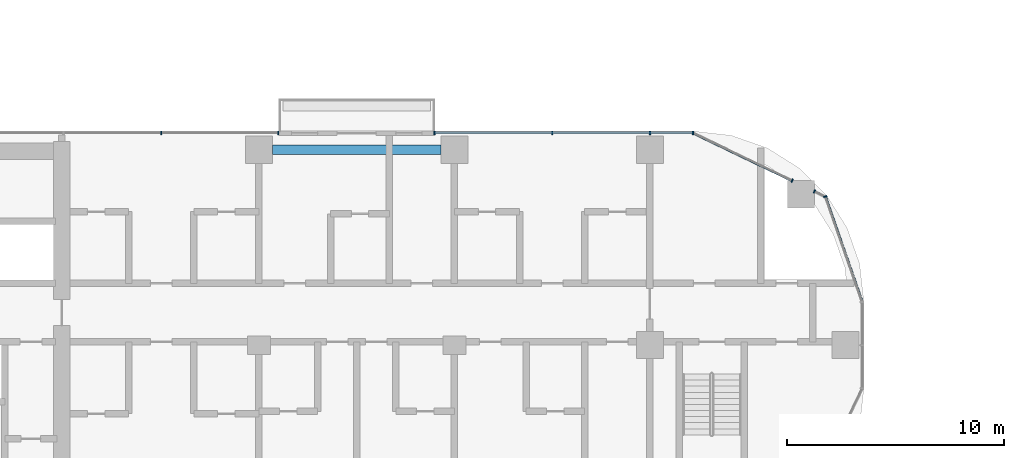
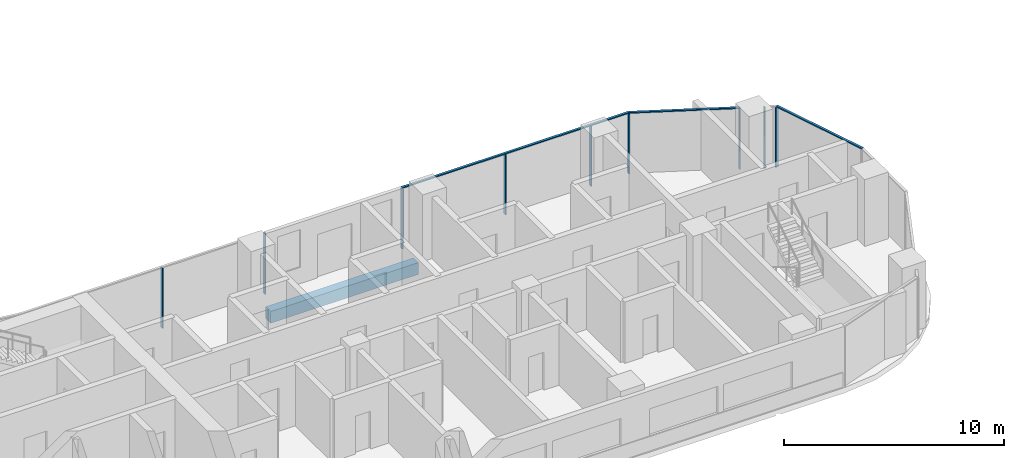
# One storey, part 4 of 35: 12 members, 1 beam, 4 elements without a shape of their own.
"""IFC4 building model written with IfcOpenShell, lengths in metres."""

from ifc_helpers import new_model, si_unit, direction, frame, origin, origin_2d, place, context, subcontext, project, spatial, rectangle, extrude, material, material_profile, profile_set, type_object, element, aggregate, save


model = new_model("IFC4")

# Units and contexts
model_context = context("Model", 3, precision=1e-05, world=origin(), true_north=direction((0.0, 1.0)))
body_context = subcontext(model_context, "Body", "Model", "MODEL_VIEW")
ifc_project = project(units=[si_unit("LENGTHUNIT", "METRE"), si_unit("AREAUNIT", "SQUARE_METRE"), si_unit("VOLUMEUNIT", "CUBIC_METRE"), si_unit("PLANEANGLEUNIT", "RADIAN"), si_unit("MASSUNIT", "GRAM", prefix="KILO")], contexts=[model_context])

# Site, building, storey
site_placement = place(None, origin())
site = spatial("IfcSite", under=ifc_project, at=site_placement, CompositionType="ELEMENT")
building_placement = place(site_placement, origin())
building = spatial("IfcBuilding", under=site, at=building_placement, Name="Ogive Portal Towers", CompositionType="ELEMENT")
storey_placement = place(building_placement, frame((0.0, 0.0, 90.800048828125)))
storey = spatial("IfcBuildingStorey", under=building, at=storey_placement, Name="L21", CompositionType="ELEMENT", Elevation=90.800048828125)

# Curtain wall, members
ifc_material_1 = material(Name="Glass, clear low-iron insulated glazing", Category="glass")
curtain_wall_type = type_object("IfcCurtainWallType", Name="CW FRONT RIBBON 4500", PredefinedType="NOTDEFINED", material=ifc_material_1)
curtain_wall_1_placement = place(storey_placement, origin())
curtain_wall_1 = element("IfcCurtainWall", 1, at=curtain_wall_1_placement, inside=storey, type_object=curtain_wall_type, Name="A:L21:f11:cw0", PredefinedType="NOTDEFINED")
ifc_material_2 = material(Name="Aluminium 6063 anodised", Category="aluminium")
ifc_material_profile_1 = material_profile(ifc_material_2, rectangle(XDim=0.159912109375, YDim=0.06005859375, at=origin_2d()), Name="AL 60x160")
ifc_profile_set_1 = profile_set([ifc_material_profile_1], Name="Aluminium 6063 anodised")
member_type_1 = type_object("IfcMemberType", Name="CW MULLION 60x160", PredefinedType="MULLION", material=ifc_profile_set_1)
member_1_placement = place(storey_placement, frame((87.481689453125, 40.27490234375, 0.0), z_axis=(0.0, 0.0, 1.0), x_axis=(0.0, -1.0, 0.0)))
member_1 = element("IfcMember", 2, at=member_1_placement, type_object=member_type_1, Name="mullion", PredefinedType="MULLION", context=body_context, shape_type="SweptSolid", body=[
    extrude(rectangle(XDim=0.159912109375, YDim=0.06005859375, at=origin_2d()), origin(), (0.0, 0.0, 1.0), 3.33984375),
])
member_2_placement = place(storey_placement, frame((85.5, 40.27490234375, 0.0), z_axis=(0.0, 0.0, 1.0), x_axis=(0.0, -1.0, 0.0)))
member_2 = element("IfcMember", 3, at=member_2_placement, type_object=member_type_1, Name="mullion", PredefinedType="MULLION", context=body_context, shape_type="SweptSolid", body=[
    extrude(rectangle(XDim=0.159912109375, YDim=0.06005859375, at=origin_2d()), origin(), (0.0, 0.0, 1.0), 3.33984375),
])
member_3_placement = place(storey_placement, frame((81.0, 40.27490234375, 0.0), z_axis=(0.0, 0.0, 1.0), x_axis=(0.0, -1.0, 0.0)))
member_3 = element("IfcMember", 4, at=member_3_placement, type_object=member_type_1, Name="mullion", PredefinedType="MULLION", context=body_context, shape_type="SweptSolid", body=[
    extrude(rectangle(XDim=0.159912109375, YDim=0.06005859375, at=origin_2d()), origin(), (0.0, 0.0, 1.0), 3.33984375),
])
member_4_placement = place(storey_placement, frame((75.586181640625, 40.27490234375, 0.0), z_axis=(0.0, 0.0, 1.0), x_axis=(0.0, -1.0, 0.0)))
member_4 = element("IfcMember", 5, at=member_4_placement, type_object=member_type_1, Name="mullion", PredefinedType="MULLION", context=body_context, shape_type="SweptSolid", body=[
    extrude(rectangle(XDim=0.159912109375, YDim=0.06005859375, at=origin_2d()), origin(), (0.0, 0.0, 1.0), 3.33984375),
])

curtain_wall_2_placement = place(storey_placement, origin())
curtain_wall_2 = element("IfcCurtainWall", 6, at=curtain_wall_2_placement, inside=storey, type_object=curtain_wall_type, Name="A:L21:f11:cw1", PredefinedType="NOTDEFINED")
member_5_placement = place(storey_placement, frame((68.388916015625, 40.27490234375, 0.0), z_axis=(0.0, 0.0, 1.0), x_axis=(0.0, -1.0, 0.0)))
member_5 = element("IfcMember", 7, at=member_5_placement, type_object=member_type_1, Name="mullion", PredefinedType="MULLION", context=body_context, shape_type="SweptSolid", body=[
    extrude(rectangle(XDim=0.159912109375, YDim=0.06005859375, at=origin_2d()), origin(), (0.0, 0.0, 1.0), 3.33984375),
])
member_6_placement = place(storey_placement, frame((63.0, 40.27490234375, 0.0), z_axis=(0.0, 0.0, 1.0), x_axis=(0.0, -1.0, 0.0)))
member_6 = element("IfcMember", 8, at=member_6_placement, type_object=member_type_1, Name="mullion", PredefinedType="MULLION", context=body_context, shape_type="SweptSolid", body=[
    extrude(rectangle(XDim=0.159912109375, YDim=0.06005859375, at=origin_2d()), origin(), (0.0, 0.0, 1.0), 3.33984375),
])
aggregate(curtain_wall_2, [member_5, member_6])

curtain_wall_3_placement = place(storey_placement, origin())
curtain_wall_3 = element("IfcCurtainWall", 9, at=curtain_wall_3_placement, inside=storey, type_object=curtain_wall_type, Name="A:L21:f09:cwa~0", PredefinedType="NOTDEFINED")
member_7_placement = place(storey_placement, frame((93.57666015625, 37.33984375, 0.0), z_axis=(0.0, 0.0, 1.0), x_axis=(-0.943883330307, -0.33027906196, 0.0)))
member_7 = element("IfcMember", 10, at=member_7_placement, type_object=member_type_1, Name="mullion", PredefinedType="MULLION", context=body_context, shape_type="SweptSolid", body=[
    extrude(rectangle(XDim=0.159912109375, YDim=0.06005859375, at=origin_2d()), origin(), (0.0, 0.0, 1.0), 3.33984375),
])
member_8_placement = place(storey_placement, frame((93.074951171875, 37.58154296875, 0.0), z_axis=(0.0, 0.0, 1.0), x_axis=(-0.433883739113, -0.900968867905, 0.0)))
member_8 = element("IfcMember", 11, at=member_8_placement, type_object=member_type_1, Name="mullion", PredefinedType="MULLION", context=body_context, shape_type="SweptSolid", body=[
    extrude(rectangle(XDim=0.159912109375, YDim=0.06005859375, at=origin_2d()), origin(), (0.0, 0.0, 1.0), 3.33984375),
])

# Curtain wall, member
curtain_wall_4_placement = place(storey_placement, origin())
curtain_wall_4 = element("IfcCurtainWall", 12, at=curtain_wall_4_placement, inside=storey, type_object=curtain_wall_type, Name="A:L21:f09:cwa~1", PredefinedType="NOTDEFINED")
member_9_placement = place(storey_placement, frame((92.050048828125, 38.074951171875, 0.0), z_axis=(0.0, 0.0, 1.0), x_axis=(-0.433883739113, -0.900968867905, 0.0)))
member_9 = element("IfcMember", 13, at=member_9_placement, type_object=member_type_1, Name="mullion", PredefinedType="MULLION", context=body_context, shape_type="SweptSolid", body=[
    extrude(rectangle(XDim=0.159912109375, YDim=0.06005859375, at=origin_2d()), origin(), (0.0, 0.0, 1.0), 3.33984375),
])

# Member
ifc_material_profile_2 = material_profile(ifc_material_2, rectangle(XDim=0.1201171875, YDim=0.06005859375, at=origin_2d()), Name="AL 120x60")
ifc_profile_set_2 = profile_set([ifc_material_profile_2], Name="Aluminium 6063 anodised")
member_type_2 = type_object("IfcMemberType", Name="CW TRANSOM 60x120", PredefinedType="USERDEFINED", material=ifc_profile_set_2)
member_10_placement = place(storey_placement, frame((87.481689453125, 40.27490234375, 3.369873046875), z_axis=(-1.0, 0.0, 0.0), x_axis=(0.0, -1.0, 0.0)))
member_10 = element("IfcMember", 14, at=member_10_placement, type_object=member_type_2, Name="transom", ObjectType="TRANSOM", PredefinedType="USERDEFINED", context=body_context, shape_type="SweptSolid", body=[
    extrude(rectangle(XDim=0.1201171875, YDim=0.06005859375, at=origin_2d()), origin(), (0.0, 0.0, 1.0), 11.8955078125),
])

aggregate(curtain_wall_1, [member_10, member_1, member_2, member_3, member_4])

member_11_placement = place(storey_placement, frame((95.27490234375, 32.486328125, 3.369873046875), z_axis=(-0.330265827813, 0.943887961031, 0.0), x_axis=(-0.943887961031, -0.330265827813, 0.0)))
member_11 = element("IfcMember", 15, at=member_11_placement, type_object=member_type_2, Name="transom", ObjectType="TRANSOM", PredefinedType="USERDEFINED", context=body_context, shape_type="SweptSolid", body=[
    extrude(rectangle(XDim=0.1201171875, YDim=0.06005859375, at=origin_2d()), origin(), (0.0, 0.0, 1.0), 5.14208984375),
])

aggregate(curtain_wall_3, [member_11, member_7, member_8])

member_12_placement = place(storey_placement, frame((92.050048828125, 38.074951171875, 3.369873046875), z_axis=(-0.900973089103, 0.433874973595, 0.0), x_axis=(-0.433874973595, -0.900973089103, 0.0)))
member_12 = element("IfcMember", 16, at=member_12_placement, type_object=member_type_2, Name="transom", ObjectType="TRANSOM", PredefinedType="USERDEFINED", context=body_context, shape_type="SweptSolid", body=[
    extrude(rectangle(XDim=0.1201171875, YDim=0.06005859375, at=origin_2d()), origin(), (0.0, 0.0, 1.0), 5.070556640625),
])

aggregate(curtain_wall_4, [member_12, member_9])

# Beam
ifc_material_3 = material(Name="Concrete C50/60", Category="concrete")
ifc_material_profile_3 = material_profile(ifc_material_3, rectangle(XDim=0.449951171875, YDim=0.64990234375, at=origin_2d()), Name="RC 450x650")
ifc_profile_set_3 = profile_set([ifc_material_profile_3], Name="Concrete C50/60")
beam_type = type_object("IfcBeamType", Name="SPANDREL BEAM RC 450x650", PredefinedType="BEAM", material=ifc_profile_set_3)
beam_placement = place(storey_placement, frame((68.125, 39.5, -0.625), z_axis=(1.0, 0.0, 0.0), x_axis=(0.0, 1.0, 0.0)))
element("IfcBeam", 17, at=beam_placement, inside=storey, type_object=beam_type, Name="Spandrel beam L21", PredefinedType="BEAM", context=body_context, shape_type="SweptSolid", body=[
    extrude(rectangle(XDim=0.449951171875, YDim=0.64990234375, at=origin_2d()), origin(), (0.0, 0.0, 1.0), 7.75),
])

save(model, "model.ifc")
